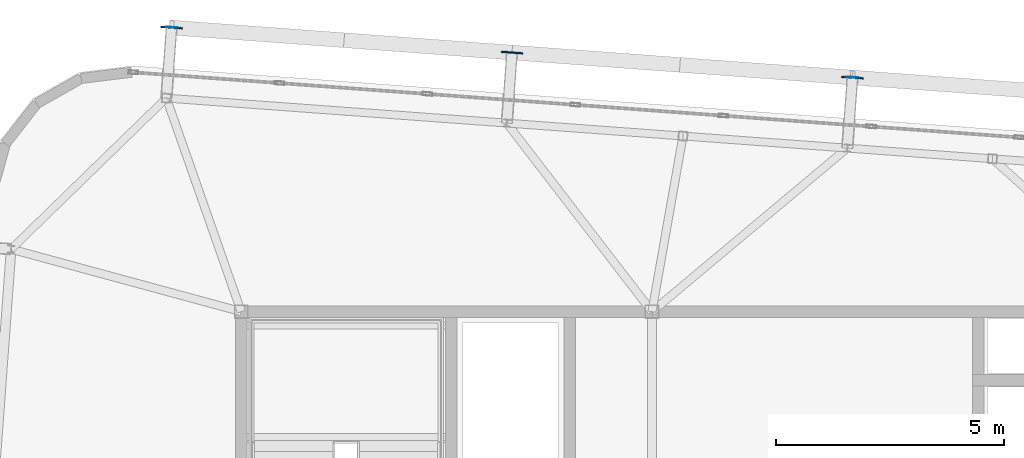
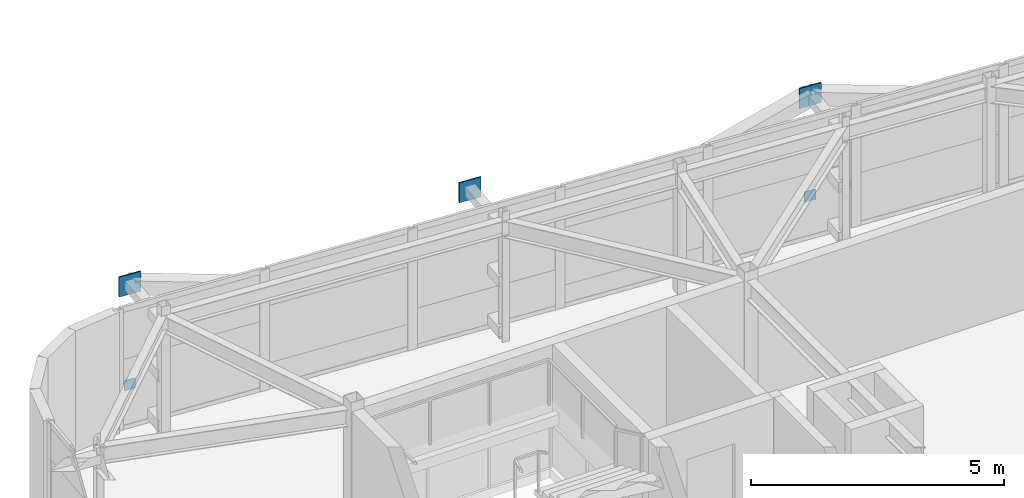
# One storey, part 36 of 42: 5 plates.
"""IFC4 building model written with IfcOpenShell, lengths in metres."""

from ifc_helpers import new_model, si_unit, direction, frame, origin, origin_2d, place, context, subcontext, project, spatial, rectangle, extrude, source, transform, mapped, material, layer, layer_set, type_object, element, save


model = new_model("IFC4")

# Units and contexts
model_context = context("Model", 3, precision=1e-05, world=origin(), true_north=direction((0.0, 1.0)))
body_context = subcontext(model_context, "Body", "Model", "MODEL_VIEW")
ifc_project = project(units=[si_unit("LENGTHUNIT", "METRE"), si_unit("AREAUNIT", "SQUARE_METRE"), si_unit("VOLUMEUNIT", "CUBIC_METRE"), si_unit("PLANEANGLEUNIT", "RADIAN"), si_unit("MASSUNIT", "GRAM", prefix="KILO")], contexts=[model_context])

# Site, building, storey
site_placement = place(None, origin())
site = spatial("IfcSite", under=ifc_project, at=site_placement, CompositionType="ELEMENT")
building_placement = place(site_placement, origin())
building = spatial("IfcBuilding", under=site, at=building_placement, Name="Taldren Reach Tower", CompositionType="ELEMENT")
storey_placement = place(building_placement, frame((0.0, 0.0, 220.85009765625)))
storey = spatial("IfcBuildingStorey", under=building, at=storey_placement, Name="L67", CompositionType="ELEMENT", Elevation=220.85009765625)

# Plates
ifc_material_1 = material(Name="Steel Gr 350 (C350L0)", Category="steel")
ifc_layer_1 = layer(ifc_material_1, 0.011962890625)
ifc_layer_set_1 = layer_set([ifc_layer_1], Name="Steel Gr 350 (C350L0)")
plate_type_1 = type_object("IfcPlateType", Name="PL-CAP-250", PredefinedType="SHEET", material=ifc_layer_set_1)
shared_shape_1 = source(origin(), body_context, "Body", "SweptSolid", [
    extrude(rectangle(XDim=0.25, YDim=0.011962890625, at=origin_2d()), origin(), (0.0, 0.0, 1.0), 0.25),
])
for number, where, z_axis, x_axis, name in (
    (1, (17.4736328125, 38.230712890625, 0.094970703125), (0.0, 0.0, 1.0), (0.997314477224, -0.073238197128, 0.0), "Tie strut end cap plate B5-N1 L67"),
    (2, (32.3935546875, 37.135009765625, 0.094970703125), (0.0, 0.0, 1.0), (0.997314477224, -0.073238197128, 0.0), "Tie strut end cap plate B5-N3 L67"),
):
    element("IfcPlate", number, at=place(storey_placement, frame(where, z_axis=z_axis, x_axis=x_axis)), inside=storey, type_object=plate_type_1, Name=name, PredefinedType="SHEET", context=body_context, shape_type="MappedRepresentation", body=[
        mapped(shared_shape_1, transform((0.0, 0.0, 0.0), scale=1.0)),
    ])
ifc_material_2 = material(Name="Steel Gr 450 (C450L0)", Category="steel")
ifc_layer_2 = layer(ifc_material_2, 0.031982421875)
ifc_layer_set_2 = layer_set([ifc_layer_2], Name="Steel Gr 450 (C450L0)")
plate_type_2 = type_object("IfcPlateType", Name="PL-GUSSET-32", PredefinedType="SHEET", material=ifc_layer_set_2)
shared_shape_2 = source(origin(), body_context, "Body", "SweptSolid", [
    extrude(rectangle(XDim=0.47998046875, YDim=0.031982421875, at=origin_2d()), origin(), (0.0, 0.0, 1.0), 0.47998046875),
])
for number, where, z_axis, x_axis, name in (
    (3, (17.473388671875, 38.224609375, 2.409912109375), (0.0, 0.0, 1.0), (0.997314477224, -0.073238197128, 0.0), "Exoskeleton star-node gusset plate B5-N1 L67"),
    (4, (24.93310546875, 37.677001953125, 2.409912109375), (0.0, 0.0, 1.0), (0.997314477224, -0.073238197128, 0.0), "Exoskeleton star-node gusset plate B5-N2 L67"),
    (5, (32.39306640625, 37.129150390625, 2.409912109375), (0.0, 0.0, 1.0), (0.997314477224, -0.073238197128, 0.0), "Exoskeleton star-node gusset plate B5-N3 L67"),
):
    element("IfcPlate", number, at=place(storey_placement, frame(where, z_axis=z_axis, x_axis=x_axis)), inside=storey, type_object=plate_type_2, Name=name, PredefinedType="SHEET", context=body_context, shape_type="MappedRepresentation", body=[
        mapped(shared_shape_2, transform((0.0, 0.0, 0.0), scale=1.0)),
    ])

save(model, "model.ifc")
